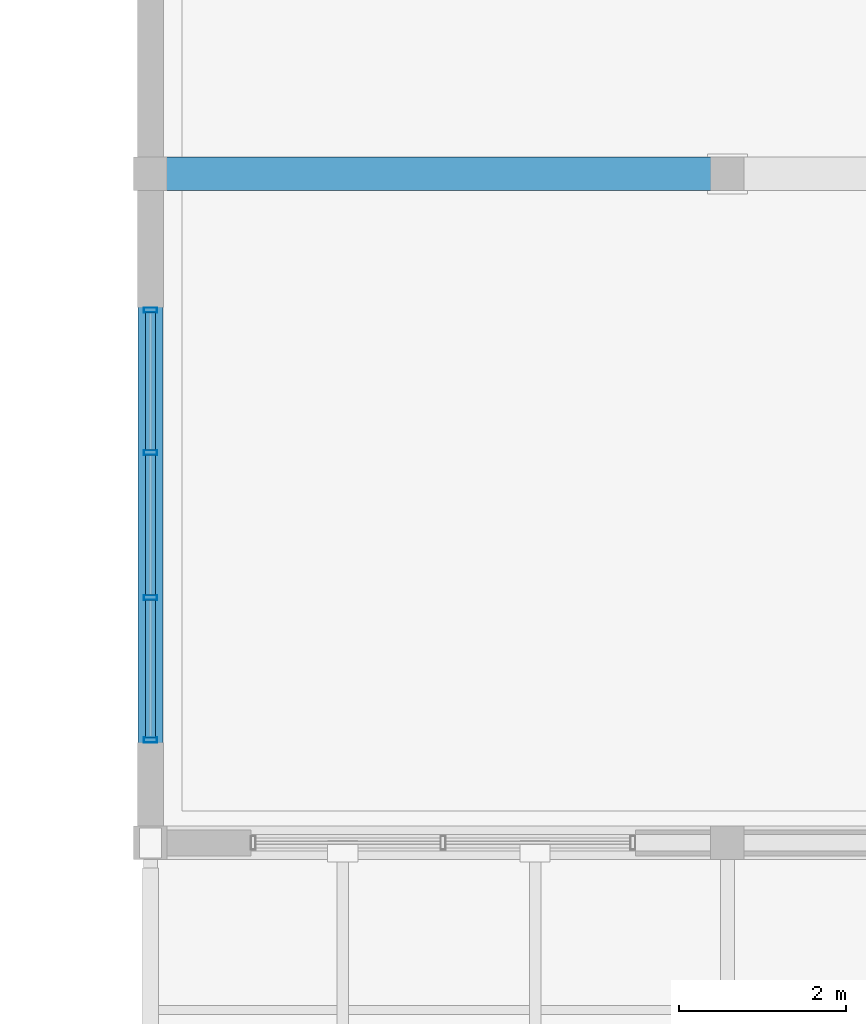
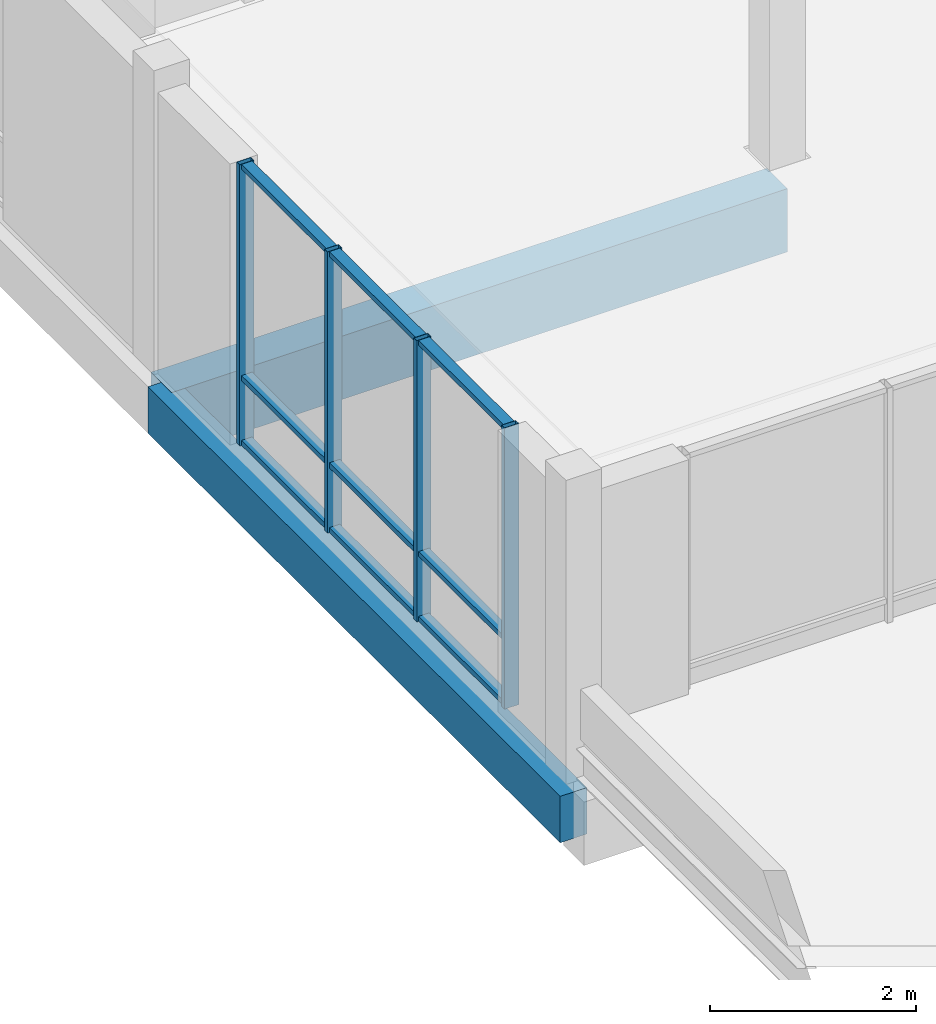
# One storey, part 66 of 189: 13 members, 2 beams, 1 element without a shape of its own.
"""IFC4 building model written with IfcOpenShell, lengths in metres."""

from ifc_helpers import new_model, si_unit, direction, frame, origin, origin_2d, place, context, subcontext, project, spatial, rectangle, hollow_rectangle, extrude, material, material_profile, profile_set, type_object, element, aggregate, save


model = new_model("IFC4")

# Units and contexts
model_context = context("Model", 3, precision=1e-05, world=origin(), true_north=direction((0.0, 1.0)))
body_context = subcontext(model_context, "Body", "Model", "MODEL_VIEW")
ifc_project = project(units=[si_unit("LENGTHUNIT", "METRE"), si_unit("AREAUNIT", "SQUARE_METRE"), si_unit("VOLUMEUNIT", "CUBIC_METRE"), si_unit("PLANEANGLEUNIT", "RADIAN"), si_unit("MASSUNIT", "GRAM", prefix="KILO")], contexts=[model_context])

# Site, building, storey
site_placement = place(None, origin())
site = spatial("IfcSite", under=ifc_project, at=site_placement, CompositionType="ELEMENT")
building_placement = place(site_placement, origin())
building = spatial("IfcBuilding", under=site, at=building_placement, Name="Zavelmont Quarter", CompositionType="ELEMENT")
storey_placement = place(building_placement, frame((0.0, 0.0, 4.39990234375)))
storey = spatial("IfcBuildingStorey", under=building, at=storey_placement, Name="L01", CompositionType="ELEMENT", Elevation=4.39990234375)

# Beams
ifc_material_1 = material(Name="Concrete C35/45", Category="concrete")
ifc_material_profile_1 = material_profile(ifc_material_1, rectangle(XDim=0.300048828125, YDim=0.550048828125, at=origin_2d()), Name="RC300X550")
ifc_profile_set_1 = profile_set([ifc_material_profile_1], Name="Concrete C35/45")
beam_type_1 = type_object("IfcBeamType", Name="BM02", PredefinedType="SPANDREL", material=ifc_profile_set_1)
beam_1_placement = place(storey_placement, frame((0.0, 62.0, -0.554931640625), z_axis=(0.0, 1.0, 0.0), x_axis=(-1.0, 0.0, 0.0)))
element("IfcBeam", 1, at=beam_1_placement, inside=storey, type_object=beam_type_1, Name="L01 beam BM02 1/K to 1/L", PredefinedType="SPANDREL", context=body_context, shape_type="SweptSolid", body=[
    extrude(rectangle(XDim=0.300048828125, YDim=0.550048828125, at=origin_2d()), origin(), (0.0, 0.0, 1.0), 8.0),
])
ifc_material_2 = material(Name="Concrete C40/50", Category="concrete")
ifc_material_profile_2 = material_profile(ifc_material_2, rectangle(XDim=0.39990234375, YDim=0.75, at=origin_2d()), Name="RC400X750")
ifc_profile_set_2 = profile_set([ifc_material_profile_2], Name="Concrete C40/50")
beam_type_2 = type_object("IfcBeamType", Name="BM05", PredefinedType="BEAM", material=ifc_profile_set_2)
beam_2_placement = place(storey_placement, frame((0.0, 70.0, -0.65478515625), z_axis=(1.0, 0.0, 0.0), x_axis=(0.0, 1.0, 0.0)))
element("IfcBeam", 2, at=beam_2_placement, inside=storey, type_object=beam_type_2, Name="L01 beam BM05 1/L to 2/L", PredefinedType="BEAM", context=body_context, shape_type="SweptSolid", body=[
    extrude(rectangle(XDim=0.39990234375, YDim=0.75, at=origin_2d()), origin(), (0.0, 0.0, 1.0), 6.89990234375),
])

# Curtain wall, members
ifc_material_3 = material(Name="Thermally broken aluminium and double low-E safety glazing", Category="aluminium")
curtain_wall_type = type_object("IfcCurtainWallType", Name="CW-520X333", PredefinedType="NOTDEFINED", material=ifc_material_3)
curtain_wall_placement = place(storey_placement, origin())
curtain_wall = element("IfcCurtainWall", 3, at=curtain_wall_placement, inside=storey, type_object=curtain_wall_type, Name="L01 unitised curtain wall CW-520X333", PredefinedType="NOTDEFINED")
ifc_material_4 = material(Name="Powder-coated aluminium EN AW-6063-T6", Category="aluminium")
ifc_material_profile_3 = material_profile(ifc_material_4, hollow_rectangle(XDim=0.06005859375, YDim=0.159912109375, WallThickness=0.00390625, at=origin_2d()), Name="CWM60X160")
ifc_profile_set_3 = profile_set([ifc_material_profile_3], Name="Powder-coated aluminium EN AW-6063-T6")
member_type_1 = type_object("IfcMemberType", Name="CWM01", PredefinedType="MULLION", material=ifc_profile_set_3)
member_1_placement = place(storey_placement, frame((0.0, 63.22998046875, 0.0), z_axis=(0.0, 0.0, 1.0), x_axis=(0.0, 1.0, 0.0)))
member_1 = element("IfcMember", 4, at=member_1_placement, type_object=member_type_1, Name="CW-520X333 mullion 1", PredefinedType="MULLION", context=body_context, shape_type="SweptSolid", body=[
    extrude(hollow_rectangle(XDim=0.06005859375, YDim=0.159912109375, WallThickness=0.00390625, at=origin_2d()), origin(), (0.0, 0.0, 1.0), 3.330078125),
])
member_2_placement = place(storey_placement, frame((0.0, 64.933349609375, 0.0), z_axis=(0.0, 0.0, 1.0), x_axis=(0.0, 1.0, 0.0)))
member_2 = element("IfcMember", 5, at=member_2_placement, type_object=member_type_1, Name="CW-520X333 mullion 2", PredefinedType="MULLION", context=body_context, shape_type="SweptSolid", body=[
    extrude(hollow_rectangle(XDim=0.06005859375, YDim=0.159912109375, WallThickness=0.00390625, at=origin_2d()), origin(), (0.0, 0.0, 1.0), 3.330078125),
])
member_3_placement = place(storey_placement, frame((0.0, 66.666748046875, 0.0), z_axis=(0.0, 0.0, 1.0), x_axis=(0.0, 1.0, 0.0)))
member_3 = element("IfcMember", 6, at=member_3_placement, type_object=member_type_1, Name="CW-520X333 mullion 3", PredefinedType="MULLION", context=body_context, shape_type="SweptSolid", body=[
    extrude(hollow_rectangle(XDim=0.06005859375, YDim=0.159912109375, WallThickness=0.00390625, at=origin_2d()), origin(), (0.0, 0.0, 1.0), 3.330078125),
])
member_4_placement = place(storey_placement, frame((0.0, 68.3701171875, 0.0), z_axis=(0.0, 0.0, 1.0), x_axis=(0.0, 1.0, 0.0)))
member_4 = element("IfcMember", 7, at=member_4_placement, type_object=member_type_1, Name="CW-520X333 mullion 4", PredefinedType="MULLION", context=body_context, shape_type="SweptSolid", body=[
    extrude(hollow_rectangle(XDim=0.06005859375, YDim=0.159912109375, WallThickness=0.00390625, at=origin_2d()), origin(), (0.0, 0.0, 1.0), 3.330078125),
])
ifc_material_profile_4 = material_profile(ifc_material_4, hollow_rectangle(XDim=0.1201171875, YDim=0.06005859375, WallThickness=0.00390625, at=origin_2d()), Name="CWT60X120")
ifc_profile_set_4 = profile_set([ifc_material_profile_4], Name="Powder-coated aluminium EN AW-6063-T6")
member_type_2 = type_object("IfcMemberType", Name="CWT01", PredefinedType="NOTDEFINED", material=ifc_profile_set_4)
member_5_placement = place(storey_placement, frame((0.0, 63.260009765625, 0.030029296875), z_axis=(0.0, 1.0, 0.0), x_axis=(-1.0, 0.0, 0.0)))
member_5 = element("IfcMember", 8, at=member_5_placement, type_object=member_type_2, Name="CW-520X333 transom 1.1", ObjectType="TRANSOM", PredefinedType="USERDEFINED", context=body_context, shape_type="SweptSolid", body=[
    extrude(hollow_rectangle(XDim=0.1201171875, YDim=0.06005859375, WallThickness=0.00390625, at=origin_2d()), origin(), (0.0, 0.0, 1.0), 1.643310546875),
])
member_6_placement = place(storey_placement, frame((0.0, 63.260009765625, 0.799072265625), z_axis=(0.0, 1.0, 0.0), x_axis=(-1.0, 0.0, 0.0)))
member_6 = element("IfcMember", 9, at=member_6_placement, type_object=member_type_2, Name="CW-520X333 transom 1.2", ObjectType="TRANSOM", PredefinedType="USERDEFINED", context=body_context, shape_type="SweptSolid", body=[
    extrude(hollow_rectangle(XDim=0.1201171875, YDim=0.06005859375, WallThickness=0.00390625, at=origin_2d()), origin(), (0.0, 0.0, 1.0), 1.643310546875),
])
member_7_placement = place(storey_placement, frame((0.0, 63.260009765625, 3.300048828125), z_axis=(0.0, 1.0, 0.0), x_axis=(-1.0, 0.0, 0.0)))
member_7 = element("IfcMember", 10, at=member_7_placement, type_object=member_type_2, Name="CW-520X333 transom 1.3", ObjectType="TRANSOM", PredefinedType="USERDEFINED", context=body_context, shape_type="SweptSolid", body=[
    extrude(hollow_rectangle(XDim=0.1201171875, YDim=0.06005859375, WallThickness=0.00390625, at=origin_2d()), origin(), (0.0, 0.0, 1.0), 1.643310546875),
])
member_8_placement = place(storey_placement, frame((0.0, 64.96337890625, 0.030029296875), z_axis=(0.0, 1.0, 0.0), x_axis=(-1.0, 0.0, 0.0)))
member_8 = element("IfcMember", 11, at=member_8_placement, type_object=member_type_2, Name="CW-520X333 transom 2.1", ObjectType="TRANSOM", PredefinedType="USERDEFINED", context=body_context, shape_type="SweptSolid", body=[
    extrude(hollow_rectangle(XDim=0.1201171875, YDim=0.06005859375, WallThickness=0.00390625, at=origin_2d()), origin(), (0.0, 0.0, 1.0), 1.67333984375),
])
member_9_placement = place(storey_placement, frame((0.0, 64.96337890625, 0.799072265625), z_axis=(0.0, 1.0, 0.0), x_axis=(-1.0, 0.0, 0.0)))
member_9 = element("IfcMember", 12, at=member_9_placement, type_object=member_type_2, Name="CW-520X333 transom 2.2", ObjectType="TRANSOM", PredefinedType="USERDEFINED", context=body_context, shape_type="SweptSolid", body=[
    extrude(hollow_rectangle(XDim=0.1201171875, YDim=0.06005859375, WallThickness=0.00390625, at=origin_2d()), origin(), (0.0, 0.0, 1.0), 1.67333984375),
])
member_10_placement = place(storey_placement, frame((0.0, 64.96337890625, 3.300048828125), z_axis=(0.0, 1.0, 0.0), x_axis=(-1.0, 0.0, 0.0)))
member_10 = element("IfcMember", 13, at=member_10_placement, type_object=member_type_2, Name="CW-520X333 transom 2.3", ObjectType="TRANSOM", PredefinedType="USERDEFINED", context=body_context, shape_type="SweptSolid", body=[
    extrude(hollow_rectangle(XDim=0.1201171875, YDim=0.06005859375, WallThickness=0.00390625, at=origin_2d()), origin(), (0.0, 0.0, 1.0), 1.67333984375),
])
member_11_placement = place(storey_placement, frame((0.0, 66.69677734375, 0.030029296875), z_axis=(0.0, 1.0, 0.0), x_axis=(-1.0, 0.0, 0.0)))
member_11 = element("IfcMember", 14, at=member_11_placement, type_object=member_type_2, Name="CW-520X333 transom 3.1", ObjectType="TRANSOM", PredefinedType="USERDEFINED", context=body_context, shape_type="SweptSolid", body=[
    extrude(hollow_rectangle(XDim=0.1201171875, YDim=0.06005859375, WallThickness=0.00390625, at=origin_2d()), origin(), (0.0, 0.0, 1.0), 1.643310546875),
])
member_12_placement = place(storey_placement, frame((0.0, 66.69677734375, 0.799072265625), z_axis=(0.0, 1.0, 0.0), x_axis=(-1.0, 0.0, 0.0)))
member_12 = element("IfcMember", 15, at=member_12_placement, type_object=member_type_2, Name="CW-520X333 transom 3.2", ObjectType="TRANSOM", PredefinedType="USERDEFINED", context=body_context, shape_type="SweptSolid", body=[
    extrude(hollow_rectangle(XDim=0.1201171875, YDim=0.06005859375, WallThickness=0.00390625, at=origin_2d()), origin(), (0.0, 0.0, 1.0), 1.643310546875),
])
member_13_placement = place(storey_placement, frame((0.0, 66.69677734375, 3.300048828125), z_axis=(0.0, 1.0, 0.0), x_axis=(-1.0, 0.0, 0.0)))
member_13 = element("IfcMember", 16, at=member_13_placement, type_object=member_type_2, Name="CW-520X333 transom 3.3", ObjectType="TRANSOM", PredefinedType="USERDEFINED", context=body_context, shape_type="SweptSolid", body=[
    extrude(hollow_rectangle(XDim=0.1201171875, YDim=0.06005859375, WallThickness=0.00390625, at=origin_2d()), origin(), (0.0, 0.0, 1.0), 1.643310546875),
])
aggregate(curtain_wall, [member_1, member_2, member_3, member_4, member_5, member_6, member_7, member_8, member_9, member_10, member_11, member_12, member_13])

save(model, "model.ifc")
